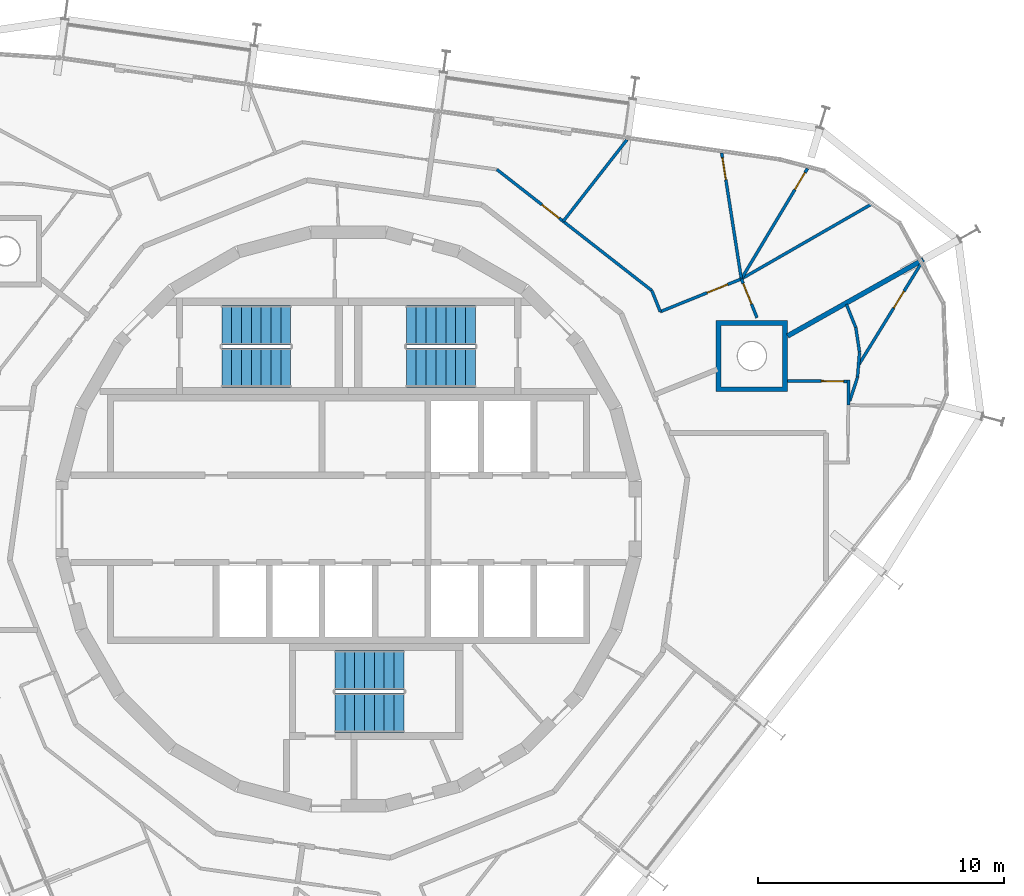
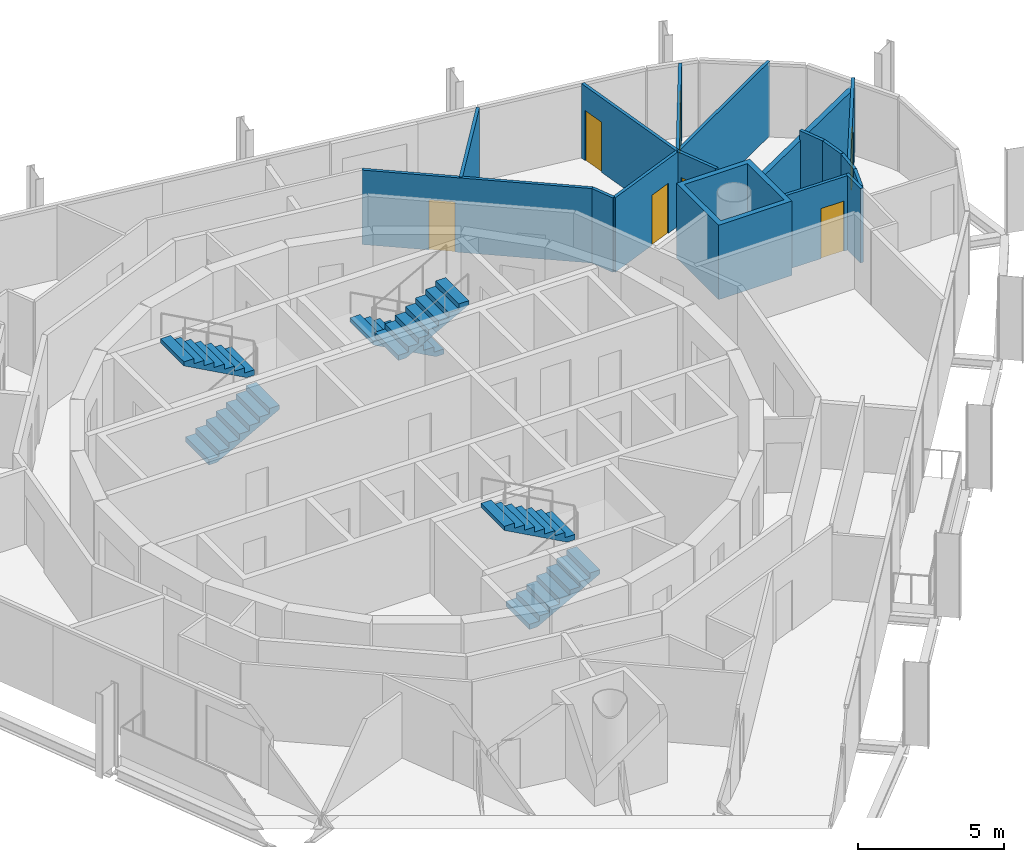
# One storey, part 14 of 15: 17 walls, 7 doors, 6 stair flights, 7 openings, 3 elements without a shape of their own.
"""IFC4 building model written with IfcOpenShell, lengths in metres."""

from ifc_helpers import new_model, si_unit, direction, frame, frame_2d, origin, place, context, subcontext, project, spatial, polyline, rectangle, outline, extrude, material, layer, layer_set, type_object, element, fill, aggregate, save


model = new_model("IFC4")

# Units and contexts
model_context = context("Model", 3, precision=1e-05, world=origin(), true_north=direction((0.0, 1.0)))
body_context = subcontext(model_context, "Body", "Model", "MODEL_VIEW")
ifc_project = project(units=[si_unit("LENGTHUNIT", "METRE"), si_unit("AREAUNIT", "SQUARE_METRE"), si_unit("VOLUMEUNIT", "CUBIC_METRE"), si_unit("PLANEANGLEUNIT", "RADIAN"), si_unit("MASSUNIT", "GRAM", prefix="KILO")], contexts=[model_context])

# Site, building, storey
site_placement = place(None, origin())
site = spatial("IfcSite", under=ifc_project, at=site_placement, CompositionType="ELEMENT")
building_placement = place(site_placement, origin())
building = spatial("IfcBuilding", under=site, at=building_placement, Name="Spindle Arch Residences", CompositionType="ELEMENT")
storey_placement = place(building_placement, frame((0.0, 0.0, 343.5)))
storey = spatial("IfcBuildingStorey", under=building, at=storey_placement, Name="L88", CompositionType="ELEMENT", Elevation=343.5)

# Wall
ifc_material_1 = material(Name="Plasterboard on steel studs", Category="steel")
ifc_layer_1 = layer(ifc_material_1, 0.1201171875)
ifc_layer_set_1 = layer_set([ifc_layer_1], Name="Flat partition 120")
wall_type_1 = type_object("IfcWallType", Name="Flat partition 120", PredefinedType="PARTITIONING", material=ifc_layer_set_1)
wall_1_placement = place(storey_placement, frame((20.30615234375, 4.638671875, 0.0), z_axis=(0.0, 0.0, 1.0), x_axis=(0.008906724211, 0.999960334345, 0.0)))
element("IfcWall", 1, at=wall_1_placement, inside=storey, type_object=wall_type_1, Name="Flat partition R9B1-W032", PredefinedType="PARTITIONING", context=body_context, shape_type="SweptSolid", body=[
    extrude(rectangle(XDim=1.01416015625, YDim=0.1201171875, at=frame_2d((0.507080078125, 0.0))), origin(), (0.0, 0.0, 1.0), 3.1201171875),
])

# Wall, opening, door
wall_2_placement = place(storey_placement, frame((20.314697265625, 5.593017578125, 0.0), z_axis=(0.0, 0.0, 1.0), x_axis=(-0.999960597409, 0.008877140833, 0.0)))
wall_2 = element("IfcWall", 2, at=wall_2_placement, inside=storey, type_object=wall_type_1, Name="Flat partition R9B1-W033", PredefinedType="PARTITIONING", context=body_context, shape_type="SweptSolid", body=[
    extrude(rectangle(XDim=2.47509765625, YDim=0.1201171875, at=frame_2d((1.237548828125, 0.0))), origin(), (0.0, 0.0, 1.0), 3.1201171875),
])
opening_1_placement = place(wall_2_placement, frame((0.199951171875, 0.0, 0.0)))
opening_1 = element("IfcOpeningElement", 3, at=opening_1_placement, cuts=wall_2, Name="Opening R9B1-ID02", PredefinedType="OPENING", context=body_context, shape_type="SweptSolid", body=[
    extrude(rectangle(XDim=0.89990234375, YDim=2.10009765625, at=frame_2d((0.449951171875, 1.050048828125))), frame((0.0, 0.070068359375, 0.0), z_axis=(0.0, -1.0, 0.0), x_axis=(1.0, 0.0, 0.0)), (0.0, 0.0, 1.0), 0.14013671875),
])
ifc_material_2 = material(Name="Timber door set", Category="wood")
door_type_1 = type_object("IfcDoorType", Name="Room door 900x2100", OperationType="NOTDEFINED", PredefinedType="DOOR", material=ifc_material_2)
door_1_placement = place(opening_1_placement, origin())
door_1 = element("IfcDoor", 4, at=door_1_placement, inside=storey, type_object=door_type_1, Name="Room door R9B1-ID02", OperationType="SINGLE_SWING_RIGHT", OverallHeight=2.10009765625, OverallWidth=0.89990234375, PredefinedType="DOOR", context=body_context, shape_type="SweptSolid", body=[
    extrude(rectangle(XDim=0.89990234375, YDim=2.10009765625, at=frame_2d((0.449951171875, 1.050048828125))), frame((0.0, 0.02490234375, 0.0), z_axis=(0.0, -1.0, 0.0), x_axis=(1.0, 0.0, 0.0)), (0.0, 0.0, 1.0), 0.050048828125),
])
fill(opening_1, door_1)

# Walls
wall_3_placement = place(storey_placement, frame((20.762451171875, 6.774658203125, 0.0), z_axis=(0.0, 0.0, 1.0), x_axis=(-0.08121587, -0.996696534789, 0.0)))
element("IfcWall", 5, at=wall_3_placement, inside=storey, type_object=wall_type_1, Name="Flat partition R9B1-W035", PredefinedType="PARTITIONING", context=body_context, shape_type="SweptSolid", body=[
    extrude(rectangle(XDim=1.01611328125, YDim=0.1201171875, at=frame_2d((0.508056640625, 0.0))), origin(), (0.0, 0.0, 1.0), 3.1201171875),
])
wall_4_placement = place(storey_placement, frame((20.679931640625, 5.761962890625, 0.0), z_axis=(0.0, 0.0, 1.0), x_axis=(-0.30908063779, -0.951035834942, 0.0)))
element("IfcWall", 6, at=wall_4_placement, inside=storey, type_object=wall_type_1, Name="Flat partition R9B1-W036", PredefinedType="PARTITIONING", context=body_context, shape_type="SweptSolid", body=[
    extrude(rectangle(XDim=1.015869140625, YDim=0.1201171875, at=frame_2d((0.5078125, 0.0))), origin(), (0.0, 0.0, 1.0), 3.1201171875),
])

# Wall, opening, door
wall_5_placement = place(storey_placement, frame((23.357421875, 10.532470703125, 0.0), z_axis=(0.0, 0.0, 1.0), x_axis=(-0.524476563806, -0.851424884542, 0.0)))
wall_5 = element("IfcWall", 7, at=wall_5_placement, inside=storey, type_object=wall_type_1, Name="Flat partition R9B1-W037", PredefinedType="PARTITIONING", context=body_context, shape_type="SweptSolid", body=[
    extrude(rectangle(XDim=5.029296875, YDim=0.1201171875, at=frame_2d((2.5146484375, 0.0))), origin(), (0.0, 0.0, 1.0), 3.1201171875),
])
opening_2_placement = place(wall_5_placement, frame((1.5, 0.0, 0.0)))
opening_2 = element("IfcOpeningElement", 8, at=opening_2_placement, cuts=wall_5, Name="Opening R9B1-BD01", PredefinedType="OPENING", context=body_context, shape_type="SweptSolid", body=[
    extrude(rectangle(XDim=0.800048828125, YDim=2.10009765625, at=frame_2d((0.39990234375, 1.050048828125))), frame((0.0, 0.070068359375, 0.0), z_axis=(0.0, -1.0, 0.0), x_axis=(1.0, 0.0, 0.0)), (0.0, 0.0, 1.0), 0.14013671875),
])
ifc_material_3 = material(Name="Timber door set", Category="wood")
door_type_2 = type_object("IfcDoorType", Name="Bathroom door 800x2100", OperationType="NOTDEFINED", PredefinedType="DOOR", material=ifc_material_3)
door_2_placement = place(opening_2_placement, origin())
door_2 = element("IfcDoor", 9, at=door_2_placement, inside=storey, type_object=door_type_2, Name="Bathroom door R9B1-BD01", OperationType="SINGLE_SWING_RIGHT", OverallHeight=2.10009765625, OverallWidth=0.800048828125, PredefinedType="DOOR", context=body_context, shape_type="SweptSolid", body=[
    extrude(rectangle(XDim=0.800048828125, YDim=2.10009765625, at=frame_2d((0.39990234375, 1.050048828125))), frame((0.0, 0.02490234375, 0.0), z_axis=(0.0, -1.0, 0.0), x_axis=(1.0, 0.0, 0.0)), (0.0, 0.0, 1.0), 0.050048828125),
])
fill(opening_2, door_2)

# Walls
wall_6_placement = place(storey_placement, frame((20.762451171875, 6.774658203125, 0.0), z_axis=(0.0, 0.0, 1.0), x_axis=(-0.150702440861, 0.988579169474, 0.0)))
element("IfcWall", 10, at=wall_6_placement, inside=storey, type_object=wall_type_1, Name="Flat partition R9B1-W038", PredefinedType="PARTITIONING", context=body_context, shape_type="SweptSolid", body=[
    extrude(rectangle(XDim=1.015869140625, YDim=0.1201171875, at=frame_2d((0.5078125, 0.0))), origin(), (0.0, 0.0, 1.0), 3.1201171875),
])
wall_7_placement = place(storey_placement, frame((20.609375, 7.77880859375, 0.0), z_axis=(0.0, 0.0, 1.0), x_axis=(-0.374371668856, 0.927278735633, 0.0)))
element("IfcWall", 11, at=wall_7_placement, inside=storey, type_object=wall_type_1, Name="Flat partition R9B1-W039", PredefinedType="PARTITIONING", context=body_context, shape_type="SweptSolid", body=[
    extrude(rectangle(XDim=1.01611328125, YDim=0.1201171875, at=frame_2d((0.508056640625, 0.0))), origin(), (0.0, 0.0, 1.0), 3.1201171875),
])

# Wall, opening, door
wall_8_placement = place(storey_placement, frame((16.59716796875, 8.177001953125, 0.0), z_axis=(0.0, 0.0, 1.0), x_axis=(-0.374631609957, 0.927173746835, 0.0)))
wall_8 = element("IfcWall", 12, at=wall_8_placement, inside=storey, type_object=wall_type_1, Name="Flat partition R9B1-W040", PredefinedType="PARTITIONING", context=body_context, shape_type="SweptSolid", body=[
    extrude(rectangle(XDim=1.7001953125, YDim=0.1201171875, at=frame_2d((0.85009765625, 0.0))), origin(), (0.0, 0.0, 1.0), 3.1201171875),
])
opening_3_placement = place(wall_8_placement, frame((0.60009765625, 0.0, 0.0)))
opening_3 = element("IfcOpeningElement", 13, at=opening_3_placement, cuts=wall_8, Name="Opening R9B1-ID04", PredefinedType="OPENING", context=body_context, shape_type="SweptSolid", body=[
    extrude(rectangle(XDim=0.89990234375, YDim=2.10009765625, at=frame_2d((0.449951171875, 1.050048828125))), frame((0.0, 0.070068359375, 0.0), z_axis=(0.0, -1.0, 0.0), x_axis=(1.0, 0.0, 0.0)), (0.0, 0.0, 1.0), 0.14013671875),
])
door_3_placement = place(opening_3_placement, origin())
door_3 = element("IfcDoor", 14, at=door_3_placement, inside=storey, type_object=door_type_1, Name="Room door R9B1-ID04", OperationType="SINGLE_SWING_LEFT", OverallHeight=2.10009765625, OverallWidth=0.89990234375, PredefinedType="DOOR", context=body_context, shape_type="SweptSolid", body=[
    extrude(rectangle(XDim=0.89990234375, YDim=2.10009765625, at=frame_2d((0.449951171875, 1.050048828125))), frame((0.0, 0.02490234375, 0.0), z_axis=(0.0, -1.0, 0.0), x_axis=(1.0, 0.0, 0.0)), (0.0, 0.0, 1.0), 0.050048828125),
])
fill(opening_3, door_3)

wall_9_placement = place(storey_placement, frame((15.960205078125, 9.75341796875, 0.0), z_axis=(0.0, 0.0, 1.0), x_axis=(-0.927148174805, -0.37469489182, 0.0)))
wall_9 = element("IfcWall", 15, at=wall_9_placement, inside=storey, type_object=wall_type_1, Name="Flat partition R9B1-W041", PredefinedType="PARTITIONING", context=body_context, shape_type="SweptSolid", body=[
    extrude(rectangle(XDim=3.5517578125, YDim=0.1201171875, at=frame_2d((1.77587890625, 0.0))), origin(), (0.0, 0.0, 1.0), 3.1201171875),
])
opening_4_placement = place(wall_9_placement, frame((0.60009765625, 0.0, 0.0)))
opening_4 = element("IfcOpeningElement", 16, at=opening_4_placement, cuts=wall_9, Name="Opening R9B1-ID05", PredefinedType="OPENING", context=body_context, shape_type="SweptSolid", body=[
    extrude(rectangle(XDim=0.89990234375, YDim=2.10009765625, at=frame_2d((0.449951171875, 1.050048828125))), frame((0.0, 0.070068359375, 0.0), z_axis=(0.0, -1.0, 0.0), x_axis=(1.0, 0.0, 0.0)), (0.0, 0.0, 1.0), 0.14013671875),
])
door_4_placement = place(opening_4_placement, origin())
door_4 = element("IfcDoor", 17, at=door_4_placement, inside=storey, type_object=door_type_1, Name="Room door R9B1-ID05", OperationType="SINGLE_SWING_RIGHT", OverallHeight=2.10009765625, OverallWidth=0.89990234375, PredefinedType="DOOR", context=body_context, shape_type="SweptSolid", body=[
    extrude(rectangle(XDim=0.89990234375, YDim=2.10009765625, at=frame_2d((0.449951171875, 1.050048828125))), frame((0.0, 0.02490234375, 0.0), z_axis=(0.0, -1.0, 0.0), x_axis=(1.0, 0.0, 0.0)), (0.0, 0.0, 1.0), 0.050048828125),
])
fill(opening_4, door_4)

# Wall
wall_10_placement = place(storey_placement, frame((12.667236328125, 8.422607421875, 0.0), z_axis=(0.0, 0.0, 1.0), x_axis=(-0.374697807675, 0.927146996395, 0.0)))
element("IfcWall", 18, at=wall_10_placement, inside=storey, type_object=wall_type_1, Name="Flat partition R9B1-W042", PredefinedType="PARTITIONING", context=body_context, shape_type="SweptSolid", body=[
    extrude(rectangle(XDim=0.928466796875, YDim=0.1201171875, at=frame_2d((0.46435546875, 0.0))), origin(), (0.0, 0.0, 1.0), 3.1201171875),
])

# Wall, opening, door
wall_11_placement = place(storey_placement, frame((12.3193359375, 9.283447265625, 0.0), z_axis=(0.0, 0.0, 1.0), x_axis=(-0.788000268464, 0.61567489546, 0.0)))
wall_11 = element("IfcWall", 19, at=wall_11_placement, inside=storey, type_object=wall_type_1, Name="Flat partition R9B1-W043", PredefinedType="PARTITIONING", context=body_context, shape_type="SweptSolid", body=[
    extrude(rectangle(XDim=7.98486328125, YDim=0.1201171875, at=frame_2d((3.992431640625, 0.0))), origin(), (0.0, 0.0, 1.0), 3.1201171875),
])
opening_5_placement = place(wall_11_placement, frame((4.765380859375, 0.0, 0.0)))
opening_5 = element("IfcOpeningElement", 20, at=opening_5_placement, cuts=wall_11, Name="Opening R9B1-ID06", PredefinedType="OPENING", context=body_context, shape_type="SweptSolid", body=[
    extrude(rectangle(XDim=0.89990234375, YDim=2.10009765625, at=frame_2d((0.449951171875, 1.050048828125))), frame((0.0, 0.070068359375, 0.0), z_axis=(0.0, -1.0, 0.0), x_axis=(1.0, 0.0, 0.0)), (0.0, 0.0, 1.0), 0.14013671875),
])
door_5_placement = place(opening_5_placement, origin())
door_5 = element("IfcDoor", 21, at=door_5_placement, inside=storey, type_object=door_type_1, Name="Room door R9B1-ID06", OperationType="SINGLE_SWING_LEFT", OverallHeight=2.10009765625, OverallWidth=0.89990234375, PredefinedType="DOOR", context=body_context, shape_type="SweptSolid", body=[
    extrude(rectangle(XDim=0.89990234375, YDim=2.10009765625, at=frame_2d((0.449951171875, 1.050048828125))), frame((0.0, 0.02490234375, 0.0), z_axis=(0.0, -1.0, 0.0), x_axis=(1.0, 0.0, 0.0)), (0.0, 0.0, 1.0), 0.050048828125),
])
fill(opening_5, door_5)

# Wall
wall_12_placement = place(storey_placement, frame((21.3427734375, 12.847412109375, 0.0), z_axis=(0.0, 0.0, 1.0), x_axis=(-0.866974691568, -0.498352168832, 0.0)))
element("IfcWall", 22, at=wall_12_placement, inside=storey, type_object=wall_type_1, Name="Flat partition R9B1-W045", PredefinedType="PARTITIONING", context=body_context, shape_type="SweptSolid", body=[
    extrude(rectangle(XDim=6.20849609375, YDim=0.1201171875, at=frame_2d((3.104248046875, 0.0))), origin(), (0.0, 0.0, 1.0), 3.1201171875),
])

# Wall, opening, door
wall_13_placement = place(storey_placement, frame((18.6494140625, 14.243896484375, 0.0), z_axis=(0.0, 0.0, 1.0), x_axis=(-0.513782200586, -0.85792065505, 0.0)))
wall_13 = element("IfcWall", 23, at=wall_13_placement, inside=storey, type_object=wall_type_1, Name="Flat partition R9B1-W046", PredefinedType="PARTITIONING", context=body_context, shape_type="SweptSolid", body=[
    extrude(rectangle(XDim=5.234130859375, YDim=0.1201171875, at=frame_2d((2.6171875, 0.0))), origin(), (0.0, 0.0, 1.0), 3.1201171875),
])
opening_6_placement = place(wall_13_placement, frame((0.199951171875, 0.0, 0.0)))
opening_6 = element("IfcOpeningElement", 24, at=opening_6_placement, cuts=wall_13, Name="Opening R9B1-BD02", PredefinedType="OPENING", context=body_context, shape_type="SweptSolid", body=[
    extrude(rectangle(XDim=0.800048828125, YDim=2.10009765625, at=frame_2d((0.39990234375, 1.050048828125))), frame((0.0, 0.070068359375, 0.0), z_axis=(0.0, -1.0, 0.0), x_axis=(1.0, 0.0, 0.0)), (0.0, 0.0, 1.0), 0.14013671875),
])
door_6_placement = place(opening_6_placement, origin())
door_6 = element("IfcDoor", 25, at=door_6_placement, inside=storey, type_object=door_type_2, Name="Bathroom door R9B1-BD02", OperationType="SINGLE_SWING_LEFT", OverallHeight=2.10009765625, OverallWidth=0.800048828125, PredefinedType="DOOR", context=body_context, shape_type="SweptSolid", body=[
    extrude(rectangle(XDim=0.800048828125, YDim=2.10009765625, at=frame_2d((0.39990234375, 1.050048828125))), frame((0.0, 0.02490234375, 0.0), z_axis=(0.0, -1.0, 0.0), x_axis=(1.0, 0.0, 0.0)), (0.0, 0.0, 1.0), 0.050048828125),
])
fill(opening_6, door_6)

wall_14_placement = place(storey_placement, frame((15.16015625, 14.873291015625, 0.0), z_axis=(0.0, 0.0, 1.0), x_axis=(0.154389815045, -0.988010012606, 0.0)))
wall_14 = element("IfcWall", 26, at=wall_14_placement, inside=storey, type_object=wall_type_1, Name="Flat partition R9B1-W047", PredefinedType="PARTITIONING", context=body_context, shape_type="SweptSolid", body=[
    extrude(rectangle(XDim=5.181884765625, YDim=0.1201171875, at=frame_2d((2.5908203125, 0.0))), origin(), (0.0, 0.0, 1.0), 3.1201171875),
])
opening_7_placement = place(wall_14_placement, frame((0.199951171875, 0.0, 0.0)))
opening_7 = element("IfcOpeningElement", 27, at=opening_7_placement, cuts=wall_14, Name="Opening R9B1-ID07", PredefinedType="OPENING", context=body_context, shape_type="SweptSolid", body=[
    extrude(rectangle(XDim=0.89990234375, YDim=2.10009765625, at=frame_2d((0.449951171875, 1.050048828125))), frame((0.0, 0.070068359375, 0.0), z_axis=(0.0, -1.0, 0.0), x_axis=(1.0, 0.0, 0.0)), (0.0, 0.0, 1.0), 0.14013671875),
])
door_7_placement = place(opening_7_placement, origin())
door_7 = element("IfcDoor", 28, at=door_7_placement, inside=storey, type_object=door_type_1, Name="Room door R9B1-ID07", OperationType="SINGLE_SWING_LEFT", OverallHeight=2.10009765625, OverallWidth=0.89990234375, PredefinedType="DOOR", context=body_context, shape_type="SweptSolid", body=[
    extrude(rectangle(XDim=0.89990234375, YDim=2.10009765625, at=frame_2d((0.449951171875, 1.050048828125))), frame((0.0, 0.02490234375, 0.0), z_axis=(0.0, -1.0, 0.0), x_axis=(1.0, 0.0, 0.0)), (0.0, 0.0, 1.0), 0.050048828125),
])
fill(opening_7, door_7)

# Walls
wall_15_placement = place(storey_placement, frame((11.315185546875, 15.413818359375, 0.0), z_axis=(0.0, 0.0, 1.0), x_axis=(-0.615656413137, -0.788014708596, 0.0)))
element("IfcWall", 29, at=wall_15_placement, inside=storey, type_object=wall_type_1, Name="Flat partition R9B1-W048", PredefinedType="PARTITIONING", context=body_context, shape_type="SweptSolid", body=[
    extrude(rectangle(XDim=4.212646484375, YDim=0.1201171875, at=frame_2d((2.1064453125, 0.0))), origin(), (0.0, 0.0, 1.0), 3.1201171875),
])
ifc_material_4 = material(Name="Calcium silicate block, plastered")
ifc_layer_2 = layer(ifc_material_4, 0.199951171875)
ifc_layer_set_2 = layer_set([ifc_layer_2], Name="Flat party wall 200 under beam 2730")
wall_type_2 = type_object("IfcWallType", Name="Flat party wall 200 under beam 2730", PredefinedType="STANDARD", material=ifc_layer_set_2)
wall_16_placement = place(storey_placement, frame((23.354248046875, 10.536865234375, 0.0), z_axis=(0.0, 0.0, 1.0), x_axis=(-0.871719790551, -0.490004700754, 0.0)))
element("IfcWall", 30, at=wall_16_placement, inside=storey, type_object=wall_type_2, Name="Flat party wall R9B1-W023", PredefinedType="STANDARD", context=body_context, shape_type="SweptSolid", body=[
    extrude(rectangle(XDim=6.326171875, YDim=0.199951171875, at=frame_2d((3.1630859375, 0.0))), origin(), (0.0, 0.0, 1.0), 2.72998046875),
])
ifc_material_5 = material(Name="Calcium silicate block, plastered")
ifc_layer_3 = layer(ifc_material_5, 0.199951171875)
ifc_layer_set_3 = layer_set([ifc_layer_3], Name="Mega-column casing wall 200")
wall_type_3 = type_object("IfcWallType", Name="Mega-column casing wall 200", PredefinedType="STANDARD", material=ifc_layer_set_3)
wall_17_placement = place(storey_placement, origin())
element("IfcWall", 31, at=wall_17_placement, inside=storey, type_object=wall_type_3, Name="Mega-column casing wall R9B1-WC01", PredefinedType="STANDARD", context=body_context, shape_type="SweptSolid", body=[
    extrude(outline(polyline([(17.839599609375, 8.072021484375), (17.839599609375, 5.171875), (14.939697265625, 5.171875), (14.939697265625, 8.072021484375), (17.839599609375, 8.072021484375)]), holes=[polyline([(15.1396484375, 5.371826171875), (17.6396484375, 5.371826171875), (17.6396484375, 7.871826171875), (15.1396484375, 7.871826171875), (15.1396484375, 5.371826171875)])]), origin(), (0.0, 0.0, 1.0), 3.1201171875),
])

# Stair, stair flights
ifc_material_6 = material(Name="Concrete C50/60", Category="concrete")
stair_type = type_object("IfcStairType", Name="Exit stair 16 risers", PredefinedType="HALF_TURN_STAIR", material=ifc_material_6)
stair_1_placement = place(storey_placement, origin())
stair_1 = element("IfcStair", 32, at=stair_1_placement, inside=storey, type_object=stair_type, Name="L88 Exit stair ST1", PredefinedType="HALF_TURN_STAIR")
ifc_material_7 = material(Name="Concrete C50/60", Category="concrete")
stair_flight_type = type_object("IfcStairFlightType", Name="Exit stair flight", PredefinedType="STRAIGHT", material=ifc_material_7)
stair_flight_1_placement = place(storey_placement, frame((5.14990234375, 7.8701171875, 0.0), z_axis=(0.0, 0.0, 1.0), x_axis=(-1.0, 0.0, 0.0)))
stair_flight_1 = element("IfcStairFlight", 33, at=stair_flight_1_placement, type_object=stair_flight_type, Name="ST1 flight 1", NumberOfRisers=8, NumberOfTreads=7, PredefinedType="STRAIGHT", RiserHeight=0.21875, TreadLength=0.4, context=body_context, shape_type="SweptSolid", body=[
    extrude(outline(polyline([(0.0, 0.0), (0.0, 0.21875), (0.39990234375, 0.21875), (0.39990234375, 0.4375), (0.800048828125, 0.4375), (0.800048828125, 0.65625), (1.199951171875, 0.65625), (1.199951171875, 0.875), (1.60009765625, 0.875), (1.60009765625, 1.09375), (2.0, 1.09375), (2.0, 1.3125), (2.39990234375, 1.3125), (2.39990234375, 1.53125), (2.800048828125, 1.53125), (2.800048828125, 1.75), (2.800048828125, 1.3603515625), (0.3125, 0.0), (0.0, 0.0)])), frame((0.0, 0.800048828125, 0.0), z_axis=(0.0, -1.0, 0.0), x_axis=(1.0, 0.0, 0.0)), (0.0, 0.0, 1.0), 1.60009765625),
])
stair_flight_2_placement = place(storey_placement, frame((2.35009765625, 6.14990234375, 1.75), z_axis=(0.0, 0.0, 1.0), x_axis=(1.0, 0.0, 0.0)))
stair_flight_2 = element("IfcStairFlight", 34, at=stair_flight_2_placement, type_object=stair_flight_type, Name="ST1 flight 2", NumberOfRisers=8, NumberOfTreads=7, PredefinedType="STRAIGHT", RiserHeight=0.21875, TreadLength=0.4, context=body_context, shape_type="SweptSolid", body=[
    extrude(outline(polyline([(0.0, 0.0), (0.0, 0.21875), (0.39990234375, 0.21875), (0.39990234375, 0.4375), (0.800048828125, 0.4375), (0.800048828125, 0.65625), (1.199951171875, 0.65625), (1.199951171875, 0.875), (1.60009765625, 0.875), (1.60009765625, 1.09375), (2.0, 1.09375), (2.0, 1.3125), (2.39990234375, 1.3125), (2.39990234375, 1.53125), (2.800048828125, 1.53125), (2.800048828125, 1.75), (2.800048828125, 1.3603515625), (0.3125, 0.0), (0.0, 0.0)])), frame((0.0, 0.800048828125, 0.0), z_axis=(0.0, -1.0, 0.0), x_axis=(1.0, 0.0, 0.0)), (0.0, 0.0, 1.0), 1.60009765625),
])
aggregate(stair_1, [stair_flight_1, stair_flight_2])

stair_2_placement = place(storey_placement, origin())
stair_2 = element("IfcStair", 35, at=stair_2_placement, inside=storey, type_object=stair_type, Name="L88 Exit stair ST2", PredefinedType="HALF_TURN_STAIR")
stair_flight_3_placement = place(storey_placement, frame((-5.14990234375, 6.14990234375, 0.0), z_axis=(0.0, 0.0, 1.0), x_axis=(1.0, 0.0, 0.0)))
stair_flight_3 = element("IfcStairFlight", 36, at=stair_flight_3_placement, type_object=stair_flight_type, Name="ST2 flight 1", NumberOfRisers=8, NumberOfTreads=7, PredefinedType="STRAIGHT", RiserHeight=0.21875, TreadLength=0.4, context=body_context, shape_type="SweptSolid", body=[
    extrude(outline(polyline([(0.0, 0.0), (0.0, 0.21875), (0.39990234375, 0.21875), (0.39990234375, 0.4375), (0.800048828125, 0.4375), (0.800048828125, 0.65625), (1.199951171875, 0.65625), (1.199951171875, 0.875), (1.60009765625, 0.875), (1.60009765625, 1.09375), (2.0, 1.09375), (2.0, 1.3125), (2.39990234375, 1.3125), (2.39990234375, 1.53125), (2.800048828125, 1.53125), (2.800048828125, 1.75), (2.800048828125, 1.3603515625), (0.3125, 0.0), (0.0, 0.0)])), frame((0.0, 0.800048828125, 0.0), z_axis=(0.0, -1.0, 0.0), x_axis=(1.0, 0.0, 0.0)), (0.0, 0.0, 1.0), 1.60009765625),
])
stair_flight_4_placement = place(storey_placement, frame((-2.35009765625, 7.8701171875, 1.75), z_axis=(0.0, 0.0, 1.0), x_axis=(-1.0, 0.0, 0.0)))
stair_flight_4 = element("IfcStairFlight", 37, at=stair_flight_4_placement, type_object=stair_flight_type, Name="ST2 flight 2", NumberOfRisers=8, NumberOfTreads=7, PredefinedType="STRAIGHT", RiserHeight=0.21875, TreadLength=0.4, context=body_context, shape_type="SweptSolid", body=[
    extrude(outline(polyline([(0.0, 0.0), (0.0, 0.21875), (0.39990234375, 0.21875), (0.39990234375, 0.4375), (0.800048828125, 0.4375), (0.800048828125, 0.65625), (1.199951171875, 0.65625), (1.199951171875, 0.875), (1.60009765625, 0.875), (1.60009765625, 1.09375), (2.0, 1.09375), (2.0, 1.3125), (2.39990234375, 1.3125), (2.39990234375, 1.53125), (2.800048828125, 1.53125), (2.800048828125, 1.75), (2.800048828125, 1.3603515625), (0.3125, 0.0), (0.0, 0.0)])), frame((0.0, 0.800048828125, 0.0), z_axis=(0.0, -1.0, 0.0), x_axis=(1.0, 0.0, 0.0)), (0.0, 0.0, 1.0), 1.60009765625),
])
aggregate(stair_2, [stair_flight_3, stair_flight_4])

stair_3_placement = place(storey_placement, origin())
stair_3 = element("IfcStair", 38, at=stair_3_placement, inside=storey, type_object=stair_type, Name="L88 Exit stair ST3", PredefinedType="HALF_TURN_STAIR")
stair_flight_5_placement = place(storey_placement, frame((-0.550048828125, -7.8701171875, 0.0), z_axis=(0.0, 0.0, 1.0), x_axis=(1.0, 0.0, 0.0)))
stair_flight_5 = element("IfcStairFlight", 39, at=stair_flight_5_placement, type_object=stair_flight_type, Name="ST3 flight 1", NumberOfRisers=8, NumberOfTreads=7, PredefinedType="STRAIGHT", RiserHeight=0.21875, TreadLength=0.4, context=body_context, shape_type="SweptSolid", body=[
    extrude(outline(polyline([(0.0, 0.0), (0.0, 0.21875), (0.39990234375, 0.21875), (0.39990234375, 0.4375), (0.800048828125, 0.4375), (0.800048828125, 0.65625), (1.199951171875, 0.65625), (1.199951171875, 0.875), (1.60009765625, 0.875), (1.60009765625, 1.09375), (2.0, 1.09375), (2.0, 1.3125), (2.39990234375, 1.3125), (2.39990234375, 1.53125), (2.800048828125, 1.53125), (2.800048828125, 1.75), (2.800048828125, 1.3603515625), (0.3125, 0.0), (0.0, 0.0)])), frame((0.0, 0.800048828125, 0.0), z_axis=(0.0, -1.0, 0.0), x_axis=(1.0, 0.0, 0.0)), (0.0, 0.0, 1.0), 1.60009765625),
])
stair_flight_6_placement = place(storey_placement, frame((2.25, -6.14990234375, 1.75), z_axis=(0.0, 0.0, 1.0), x_axis=(-1.0, 0.0, 0.0)))
stair_flight_6 = element("IfcStairFlight", 40, at=stair_flight_6_placement, type_object=stair_flight_type, Name="ST3 flight 2", NumberOfRisers=8, NumberOfTreads=7, PredefinedType="STRAIGHT", RiserHeight=0.21875, TreadLength=0.4, context=body_context, shape_type="SweptSolid", body=[
    extrude(outline(polyline([(0.0, 0.0), (0.0, 0.21875), (0.39990234375, 0.21875), (0.39990234375, 0.4375), (0.800048828125, 0.4375), (0.800048828125, 0.65625), (1.199951171875, 0.65625), (1.199951171875, 0.875), (1.60009765625, 0.875), (1.60009765625, 1.09375), (2.0, 1.09375), (2.0, 1.3125), (2.39990234375, 1.3125), (2.39990234375, 1.53125), (2.800048828125, 1.53125), (2.800048828125, 1.75), (2.800048828125, 1.3603515625), (0.3125, 0.0), (0.0, 0.0)])), frame((0.0, 0.800048828125, 0.0), z_axis=(0.0, -1.0, 0.0), x_axis=(1.0, 0.0, 0.0)), (0.0, 0.0, 1.0), 1.60009765625),
])
aggregate(stair_3, [stair_flight_5, stair_flight_6])

save(model, "model.ifc")
